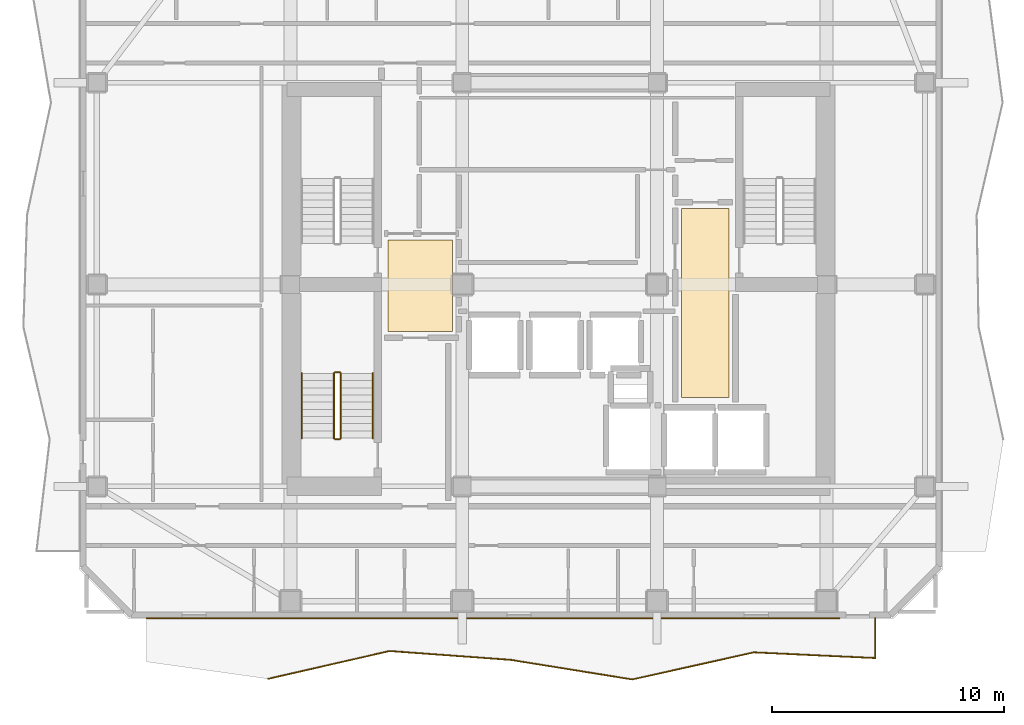
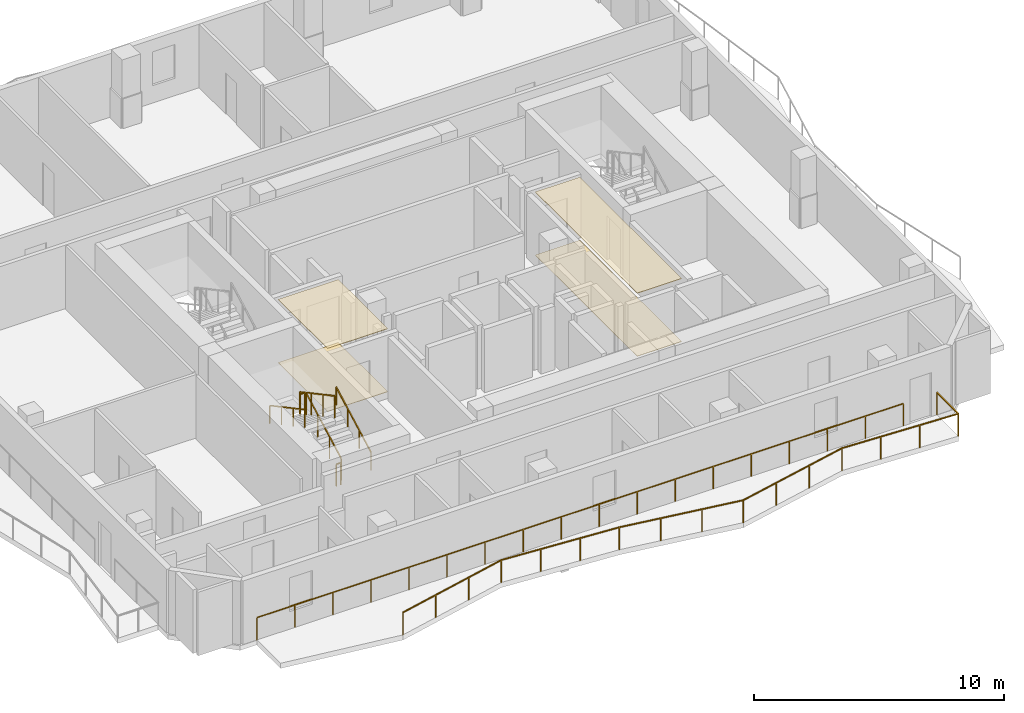
# One storey, part 7 of 10: 8 railings, 4 coverings.
"""IFC4 building model written with IfcOpenShell, lengths in metres."""

from ifc_helpers import new_model, si_unit, direction, frame, origin, origin_2d, place, context, subcontext, project, spatial, polyline, rectangle, outline, extrude, material, layer, layer_set, type_object, element, save


model = new_model("IFC4")

# Units and contexts
model_context = context("Model", 3, precision=1e-05, world=origin(), true_north=direction((0.0, 1.0)))
body_context = subcontext(model_context, "Body", "Model", "MODEL_VIEW")
ifc_project = project(units=[si_unit("LENGTHUNIT", "METRE"), si_unit("AREAUNIT", "SQUARE_METRE"), si_unit("VOLUMEUNIT", "CUBIC_METRE"), si_unit("PLANEANGLEUNIT", "RADIAN"), si_unit("MASSUNIT", "GRAM", prefix="KILO")], contexts=[model_context])

# Site, building, storey
site_placement = place(None, origin())
site = spatial("IfcSite", under=ifc_project, at=site_placement, CompositionType="ELEMENT")
building_placement = place(site_placement, origin())
building = spatial("IfcBuilding", under=site, at=building_placement, Name="Solanera Arch Residences", CompositionType="ELEMENT")
storey_placement = place(building_placement, frame((0.0, 0.0, 265.56005859375)))
storey = spatial("IfcBuildingStorey", under=building, at=storey_placement, Name="L77", CompositionType="ELEMENT", Elevation=265.56005859375)

# Railings
ifc_material_1 = material(Name="Steel S355 (ASTM A992 / A572 Grade 50)", Category="steel")
railing_type_1 = type_object("IfcRailingType", Name="Balustrade Railing BL-1100", PredefinedType="BALUSTRADE", material=ifc_material_1)
railing_1_placement = place(storey_placement, frame((12.43310546875, 13.700927734375, 0.0)))
element("IfcRailing", 1, at=railing_1_placement, inside=storey, type_object=railing_type_1, Name="L77 S Balcony Balustrade 1", PredefinedType="BALUSTRADE", context=body_context, shape_type="SweptSolid", body=[
    extrude(rectangle(XDim=0.048095703125, YDim=0.048095703125, at=origin_2d()), frame((0.0, 0.0, 1.09619140625), z_axis=(0.974750877507, 0.223295156238, 0.0), x_axis=(-0.223295156238, 0.974750877507, 0.0)), (0.0, 0.0, 1.0), 5.369384765625),
    extrude(rectangle(XDim=0.048095703125, YDim=0.048095703125, at=origin_2d()), frame((5.23388671875, 1.198974609375, 1.09619140625), z_axis=(0.997334879846, -0.07295983445, 0.0), x_axis=(0.07295983445, 0.997334879846, 0.0)), (0.0, 0.0, 1.0), 5.246826171875),
    extrude(rectangle(XDim=0.048095703125, YDim=0.048095703125, at=origin_2d()), frame((10.466796875, 0.816162109375, 1.09619140625), z_axis=(0.98727193269, -0.159041286848, 0.0), x_axis=(0.159041286848, 0.98727193269, 0.0)), (0.0, 0.0, 1.0), 5.300537109375),
    extrude(rectangle(XDim=0.048095703125, YDim=0.048095703125, at=origin_2d()), frame((15.699951171875, -0.02685546875, 1.09619140625), z_axis=(0.975993857093, 0.217798050766, 0.0), x_axis=(-0.217798050766, 0.975993857093, 0.0)), (0.0, 0.0, 1.0), 5.362548828125),
    extrude(rectangle(XDim=0.048095703125, YDim=0.048095703125, at=origin_2d()), frame((20.933837890625, 1.14111328125, 1.09619140625), z_axis=(0.998904842537, -0.04678798516, 0.0), x_axis=(0.04678798516, 0.998904842537, 0.0)), (0.0, 0.0, 1.0), 5.239013671875),
    extrude(rectangle(XDim=0.048095703125, YDim=0.048095703125, at=origin_2d()), frame((26.1669921875, 0.89599609375, 1.09619140625), z_axis=(0.0, 1.0, 0.0), x_axis=(-1.0, 0.0, 0.0)), (0.0, 0.0, 1.0), 1.72314453125),
    extrude(rectangle(XDim=0.0419921875, YDim=0.0419921875, at=origin_2d()), origin(), (0.0, 0.0, 1.0), 1.072021484375),
    extrude(rectangle(XDim=0.0419921875, YDim=0.0419921875, at=origin_2d()), frame((1.74462890625, 0.399658203125, 0.0)), (0.0, 0.0, 1.0), 1.072021484375),
    extrude(rectangle(XDim=0.0419921875, YDim=0.0419921875, at=origin_2d()), frame((3.4892578125, 0.79931640625, 0.0)), (0.0, 0.0, 1.0), 1.072021484375),
    extrude(rectangle(XDim=0.0419921875, YDim=0.0419921875, at=origin_2d()), frame((5.23388671875, 1.198974609375, 0.0)), (0.0, 0.0, 1.0), 1.072021484375),
    extrude(rectangle(XDim=0.0419921875, YDim=0.0419921875, at=origin_2d()), frame((6.978271484375, 1.0712890625, 0.0)), (0.0, 0.0, 1.0), 1.072021484375),
    extrude(rectangle(XDim=0.0419921875, YDim=0.0419921875, at=origin_2d()), frame((8.722412109375, 0.94384765625, 0.0)), (0.0, 0.0, 1.0), 1.072021484375),
    extrude(rectangle(XDim=0.0419921875, YDim=0.0419921875, at=origin_2d()), frame((10.466796875, 0.816162109375, 0.0)), (0.0, 0.0, 1.0), 1.072021484375),
    extrude(rectangle(XDim=0.0419921875, YDim=0.0419921875, at=origin_2d()), frame((12.211181640625, 0.53515625, 0.0)), (0.0, 0.0, 1.0), 1.072021484375),
    extrude(rectangle(XDim=0.0419921875, YDim=0.0419921875, at=origin_2d()), frame((13.95556640625, 0.254150390625, 0.0)), (0.0, 0.0, 1.0), 1.072021484375),
    extrude(rectangle(XDim=0.0419921875, YDim=0.0419921875, at=origin_2d()), frame((15.699951171875, -0.02685546875, 0.0)), (0.0, 0.0, 1.0), 1.072021484375),
    extrude(rectangle(XDim=0.0419921875, YDim=0.0419921875, at=origin_2d()), frame((17.444580078125, 0.362548828125, 0.0)), (0.0, 0.0, 1.0), 1.072021484375),
    extrude(rectangle(XDim=0.0419921875, YDim=0.0419921875, at=origin_2d()), frame((19.189208984375, 0.751708984375, 0.0)), (0.0, 0.0, 1.0), 1.072021484375),
    extrude(rectangle(XDim=0.0419921875, YDim=0.0419921875, at=origin_2d()), frame((20.933837890625, 1.14111328125, 0.0)), (0.0, 0.0, 1.0), 1.072021484375),
    extrude(rectangle(XDim=0.0419921875, YDim=0.0419921875, at=origin_2d()), frame((22.67822265625, 1.059326171875, 0.0)), (0.0, 0.0, 1.0), 1.072021484375),
    extrude(rectangle(XDim=0.0419921875, YDim=0.0419921875, at=origin_2d()), frame((24.422607421875, 0.977783203125, 0.0)), (0.0, 0.0, 1.0), 1.072021484375),
    extrude(rectangle(XDim=0.0419921875, YDim=0.0419921875, at=origin_2d()), frame((26.1669921875, 0.89599609375, 0.0)), (0.0, 0.0, 1.0), 1.072021484375),
    extrude(rectangle(XDim=0.0419921875, YDim=0.0419921875, at=origin_2d()), frame((26.1669921875, 2.619140625, 0.0)), (0.0, 0.0, 1.0), 1.072021484375),
])
railing_2_placement = place(storey_placement, frame((37.048095703125, 16.320068359375, 0.0)))
element("IfcRailing", 2, at=railing_2_placement, inside=storey, type_object=railing_type_1, Name="L77 S Balcony Balustrade 2", PredefinedType="BALUSTRADE", context=body_context, shape_type="SweptSolid", body=[
    extrude(rectangle(XDim=0.048095703125, YDim=0.048095703125, at=origin_2d()), frame((0.0, 0.0, 1.09619140625), z_axis=(-1.0, 0.0, 0.0), x_axis=(0.0, -1.0, 0.0)), (0.0, 0.0, 1.0), 29.84814453125),
    extrude(rectangle(XDim=0.0419921875, YDim=0.0419921875, at=origin_2d()), origin(), (0.0, 0.0, 1.0), 1.072021484375),
    extrude(rectangle(XDim=0.0419921875, YDim=0.0419921875, at=origin_2d()), frame((-1.755859375, 0.0, 0.0)), (0.0, 0.0, 1.0), 1.072021484375),
    extrude(rectangle(XDim=0.0419921875, YDim=0.0419921875, at=origin_2d()), frame((-3.511474609375, 0.0, 0.0)), (0.0, 0.0, 1.0), 1.072021484375),
    extrude(rectangle(XDim=0.0419921875, YDim=0.0419921875, at=origin_2d()), frame((-5.267333984375, 0.0, 0.0)), (0.0, 0.0, 1.0), 1.072021484375),
    extrude(rectangle(XDim=0.0419921875, YDim=0.0419921875, at=origin_2d()), frame((-7.023193359375, 0.0, 0.0)), (0.0, 0.0, 1.0), 1.072021484375),
    extrude(rectangle(XDim=0.0419921875, YDim=0.0419921875, at=origin_2d()), frame((-8.77880859375, 0.0, 0.0)), (0.0, 0.0, 1.0), 1.072021484375),
    extrude(rectangle(XDim=0.0419921875, YDim=0.0419921875, at=origin_2d()), frame((-10.53466796875, 0.0, 0.0)), (0.0, 0.0, 1.0), 1.072021484375),
    extrude(rectangle(XDim=0.0419921875, YDim=0.0419921875, at=origin_2d()), frame((-12.29052734375, 0.0, 0.0)), (0.0, 0.0, 1.0), 1.072021484375),
    extrude(rectangle(XDim=0.0419921875, YDim=0.0419921875, at=origin_2d()), frame((-14.046142578125, 0.0, 0.0)), (0.0, 0.0, 1.0), 1.072021484375),
    extrude(rectangle(XDim=0.0419921875, YDim=0.0419921875, at=origin_2d()), frame((-15.802001953125, 0.0, 0.0)), (0.0, 0.0, 1.0), 1.072021484375),
    extrude(rectangle(XDim=0.0419921875, YDim=0.0419921875, at=origin_2d()), frame((-17.5576171875, 0.0, 0.0)), (0.0, 0.0, 1.0), 1.072021484375),
    extrude(rectangle(XDim=0.0419921875, YDim=0.0419921875, at=origin_2d()), frame((-19.3134765625, 0.0, 0.0)), (0.0, 0.0, 1.0), 1.072021484375),
    extrude(rectangle(XDim=0.0419921875, YDim=0.0419921875, at=origin_2d()), frame((-21.0693359375, 0.0, 0.0)), (0.0, 0.0, 1.0), 1.072021484375),
    extrude(rectangle(XDim=0.0419921875, YDim=0.0419921875, at=origin_2d()), frame((-22.824951171875, 0.0, 0.0)), (0.0, 0.0, 1.0), 1.072021484375),
    extrude(rectangle(XDim=0.0419921875, YDim=0.0419921875, at=origin_2d()), frame((-24.580810546875, 0.0, 0.0)), (0.0, 0.0, 1.0), 1.072021484375),
    extrude(rectangle(XDim=0.0419921875, YDim=0.0419921875, at=origin_2d()), frame((-26.336669921875, 0.0, 0.0)), (0.0, 0.0, 1.0), 1.072021484375),
    extrude(rectangle(XDim=0.0419921875, YDim=0.0419921875, at=origin_2d()), frame((-28.09228515625, 0.0, 0.0)), (0.0, 0.0, 1.0), 1.072021484375),
    extrude(rectangle(XDim=0.0419921875, YDim=0.0419921875, at=origin_2d()), frame((-29.84814453125, 0.0, 0.0)), (0.0, 0.0, 1.0), 1.072021484375),
])

# Coverings
ifc_material_2 = material(Name="Porcelain Acoustic Floor Tile", Category="ceramic")
ifc_layer_1 = layer(ifc_material_2, 0.02001953125)
ifc_layer_set_1 = layer_set([ifc_layer_1], Name="Porcelain Acoustic Floor Tile")
covering_type_1 = type_object("IfcCoveringType", Name="Porcelain Acoustic Floor Finish FLR-20", PredefinedType="FLOORING", material=ifc_layer_set_1)
covering_1_placement = place(storey_placement, origin())
element("IfcCovering", 3, at=covering_1_placement, inside=storey, type_object=covering_type_1, Name="L77-FFL-W Porcelain Floor Finish", PredefinedType="FLOORING", context=body_context, shape_type="SweptSolid", body=[
    extrude(outline(polyline([(20.375, 28.675048828125), (17.594970703125, 28.675048828125), (17.594970703125, 32.625), (20.375, 32.625), (20.375, 28.675048828125)])), origin(), (0.0, 0.0, 1.0), 0.02001953125),
])
covering_2_placement = place(storey_placement, origin())
element("IfcCovering", 4, at=covering_2_placement, inside=storey, type_object=covering_type_1, Name="L77-FFL-E Porcelain Floor Finish", PredefinedType="FLOORING", context=body_context, shape_type="SweptSolid", body=[
    extrude(outline(polyline([(32.304931640625, 25.824951171875), (30.25, 25.824951171875), (30.25, 33.97509765625), (32.304931640625, 33.97509765625), (32.304931640625, 25.824951171875)])), origin(), (0.0, 0.0, 1.0), 0.02001953125),
])

# Railings
ifc_material_3 = material(Name="Steel S355 (ASTM A992 / A572 Grade 50)", Category="steel")
railing_type_2 = type_object("IfcRailingType", Name="Stair Guardrail GR-1100", PredefinedType="GUARDRAIL", material=ifc_material_3)
railing_3_placement = place(storey_placement, frame((15.570068359375, 24.080078125, 0.15087890625)))
element("IfcRailing", 5, at=railing_3_placement, inside=storey, type_object=railing_type_2, Name="L77 ST-T3 stair guard 1", PredefinedType="GUARDRAIL", context=body_context, shape_type="SweptSolid", body=[
    extrude(rectangle(XDim=0.048095703125, YDim=0.048095703125, at=origin_2d()), frame((0.0, 0.0, 1.076171875), z_axis=(0.0, 0.881548766853, 0.472092969298), x_axis=(-1.0, 0.0, 0.0)), (0.0, 0.0, 1.0), 3.1650390625),
    extrude(rectangle(XDim=0.0419921875, YDim=0.0419921875, at=origin_2d()), origin(), (0.0, 0.0, 1.0), 1.052001953125),
    extrude(rectangle(XDim=0.0419921875, YDim=0.0419921875, at=origin_2d()), frame((0.0, 0.929931640625, 0.498046875)), (0.0, 0.0, 1.0), 1.052001953125),
    extrude(rectangle(XDim=0.0419921875, YDim=0.0419921875, at=origin_2d()), frame((0.0, 1.860107421875, 0.99609375)), (0.0, 0.0, 1.0), 1.052001953125),
    extrude(rectangle(XDim=0.0419921875, YDim=0.0419921875, at=origin_2d()), frame((0.0, 2.7900390625, 1.494140625)), (0.0, 0.0, 1.0), 1.052001953125),
])
railing_4_placement = place(storey_placement, frame((15.52001953125, 26.919921875, 1.64501953125)))
element("IfcRailing", 6, at=railing_4_placement, inside=storey, type_object=railing_type_2, Name="L77 ST-T3 stair guard 2", PredefinedType="GUARDRAIL", context=body_context, shape_type="SweptSolid", body=[
    extrude(rectangle(XDim=0.048095703125, YDim=0.048095703125, at=origin_2d()), frame((0.0, 0.0, 1.076171875), z_axis=(-1.0, 0.0, 0.0), x_axis=(0.0, -1.0, 0.0)), (0.0, 0.0, 1.0), 0.199951171875),
    extrude(rectangle(XDim=0.0419921875, YDim=0.0419921875, at=origin_2d()), origin(), (0.0, 0.0, 1.0), 1.052001953125),
    extrude(rectangle(XDim=0.0419921875, YDim=0.0419921875, at=origin_2d()), frame((-0.199951171875, 0.0, 0.0)), (0.0, 0.0, 1.0), 1.052001953125),
])
railing_5_placement = place(storey_placement, frame((15.27001953125, 26.8701171875, 1.81103515625)))
element("IfcRailing", 7, at=railing_5_placement, inside=storey, type_object=railing_type_2, Name="L77 ST-T3 stair guard 3", PredefinedType="GUARDRAIL", context=body_context, shape_type="SweptSolid", body=[
    extrude(rectangle(XDim=0.048095703125, YDim=0.048095703125, at=origin_2d()), frame((0.0, 0.0, 1.076171875), z_axis=(0.0, -0.881580869306, 0.472033018838), x_axis=(1.0, 0.0, 0.0)), (0.0, 0.0, 1.0), 3.164794921875),
    extrude(rectangle(XDim=0.0419921875, YDim=0.0419921875, at=origin_2d()), origin(), (0.0, 0.0, 1.0), 1.052001953125),
    extrude(rectangle(XDim=0.0419921875, YDim=0.0419921875, at=origin_2d()), frame((0.0, -0.929931640625, 0.498046875)), (0.0, 0.0, 1.0), 1.052001953125),
    extrude(rectangle(XDim=0.0419921875, YDim=0.0419921875, at=origin_2d()), frame((0.0, -1.860107421875, 0.995849609375)), (0.0, 0.0, 1.0), 1.052001953125),
    extrude(rectangle(XDim=0.0419921875, YDim=0.0419921875, at=origin_2d()), frame((0.0, -2.7900390625, 1.493896484375)), (0.0, 0.0, 1.0), 1.052001953125),
])
railing_6_placement = place(storey_placement, frame((15.52001953125, 24.030029296875, -0.01513671875)))
element("IfcRailing", 8, at=railing_6_placement, inside=storey, type_object=railing_type_2, Name="L77 ST-T3 stair guard 4", PredefinedType="GUARDRAIL", context=body_context, shape_type="SweptSolid", body=[
    extrude(rectangle(XDim=0.048095703125, YDim=0.048095703125, at=origin_2d()), frame((0.0, 0.0, 1.076171875), z_axis=(-1.0, 0.0, 0.0), x_axis=(0.0, -1.0, 0.0)), (0.0, 0.0, 1.0), 0.199951171875),
    extrude(rectangle(XDim=0.0419921875, YDim=0.0419921875, at=origin_2d()), origin(), (0.0, 0.0, 1.0), 1.052001953125),
    extrude(rectangle(XDim=0.0419921875, YDim=0.0419921875, at=origin_2d()), frame((-0.199951171875, 0.0, 0.0)), (0.0, 0.0, 1.0), 1.052001953125),
])
ifc_material_4 = material(Name="Steel S355 (ASTM A992 / A572 Grade 50)", Category="steel")
railing_type_3 = type_object("IfcRailingType", Name="Stair Wall Handrail HR-920", PredefinedType="HANDRAIL", material=ifc_material_4)
railing_7_placement = place(storey_placement, frame((16.949951171875, 24.080078125, 0.166015625)))
element("IfcRailing", 9, at=railing_7_placement, inside=storey, type_object=railing_type_3, Name="L77 ST-T3 stair handrail 1", PredefinedType="HANDRAIL", context=body_context, shape_type="SweptSolid", body=[
    extrude(rectangle(XDim=0.048095703125, YDim=0.048095703125, at=origin_2d()), frame((0.0, 0.0, 0.8759765625), z_axis=(0.0, 0.881580869306, 0.472033018838), x_axis=(-1.0, 0.0, 0.0)), (0.0, 0.0, 1.0), 3.164794921875),
    extrude(rectangle(XDim=0.0419921875, YDim=0.0419921875, at=origin_2d()), origin(), (0.0, 0.0, 1.0), 0.851806640625),
    extrude(rectangle(XDim=0.0419921875, YDim=0.0419921875, at=origin_2d()), frame((0.0, 0.929931640625, 0.498046875)), (0.0, 0.0, 1.0), 0.851806640625),
    extrude(rectangle(XDim=0.0419921875, YDim=0.0419921875, at=origin_2d()), frame((0.0, 1.860107421875, 0.995849609375)), (0.0, 0.0, 1.0), 0.851806640625),
    extrude(rectangle(XDim=0.0419921875, YDim=0.0419921875, at=origin_2d()), frame((0.0, 2.7900390625, 1.493896484375)), (0.0, 0.0, 1.0), 0.851806640625),
])
railing_8_placement = place(storey_placement, frame((13.889892578125, 26.8701171875, 1.825927734375)))
element("IfcRailing", 10, at=railing_8_placement, inside=storey, type_object=railing_type_3, Name="L77 ST-T3 stair handrail 2", PredefinedType="HANDRAIL", context=body_context, shape_type="SweptSolid", body=[
    extrude(rectangle(XDim=0.048095703125, YDim=0.048095703125, at=origin_2d()), frame((0.0, 0.0, 0.8759765625), z_axis=(0.0, -0.881580869306, 0.472033018838), x_axis=(1.0, 0.0, 0.0)), (0.0, 0.0, 1.0), 3.164794921875),
    extrude(rectangle(XDim=0.0419921875, YDim=0.0419921875, at=origin_2d()), origin(), (0.0, 0.0, 1.0), 0.851806640625),
    extrude(rectangle(XDim=0.0419921875, YDim=0.0419921875, at=origin_2d()), frame((0.0, -0.929931640625, 0.498046875)), (0.0, 0.0, 1.0), 0.851806640625),
    extrude(rectangle(XDim=0.0419921875, YDim=0.0419921875, at=origin_2d()), frame((0.0, -1.860107421875, 0.995849609375)), (0.0, 0.0, 1.0), 0.851806640625),
    extrude(rectangle(XDim=0.0419921875, YDim=0.0419921875, at=origin_2d()), frame((0.0, -2.7900390625, 1.493896484375)), (0.0, 0.0, 1.0), 0.851806640625),
])

# Coverings
ifc_material_5 = material(Name="Mineral Fibre Acoustic Ceiling Board", Category="gypsum")
ifc_layer_2 = layer(ifc_material_5, 0.02490234375)
ifc_layer_set_2 = layer_set([ifc_layer_2], Name="Mineral Fibre Acoustic Ceiling Board")
covering_type_2 = type_object("IfcCoveringType", Name="Suspended Acoustic Ceiling Board CLG-25", PredefinedType="CEILING", material=ifc_layer_set_2)
covering_3_placement = place(storey_placement, frame((0.0, 0.0, 3.074951171875)))
element("IfcCovering", 11, at=covering_3_placement, inside=storey, type_object=covering_type_2, Name="L77-FFL-W Acoustic Ceiling", PredefinedType="CEILING", context=body_context, shape_type="SweptSolid", body=[
    extrude(outline(polyline([(20.375, 28.675048828125), (17.594970703125, 28.675048828125), (17.594970703125, 32.625), (20.375, 32.625), (20.375, 28.675048828125)])), origin(), (0.0, 0.0, 1.0), 0.02490234375),
])
covering_4_placement = place(storey_placement, frame((0.0, 0.0, 3.074951171875)))
element("IfcCovering", 12, at=covering_4_placement, inside=storey, type_object=covering_type_2, Name="L77-FFL-E Acoustic Ceiling", PredefinedType="CEILING", context=body_context, shape_type="SweptSolid", body=[
    extrude(outline(polyline([(32.304931640625, 25.824951171875), (30.25, 25.824951171875), (30.25, 33.97509765625), (32.304931640625, 33.97509765625), (32.304931640625, 25.824951171875)])), origin(), (0.0, 0.0, 1.0), 0.02490234375),
])

save(model, "model.ifc")
